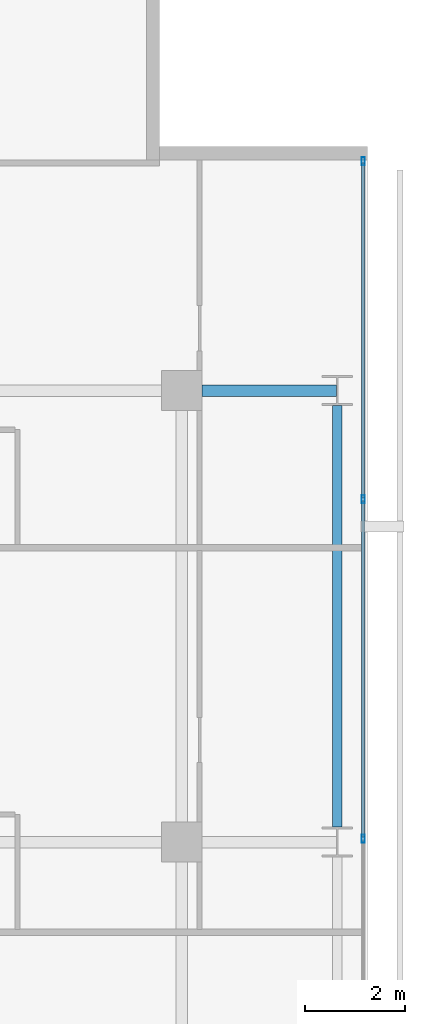
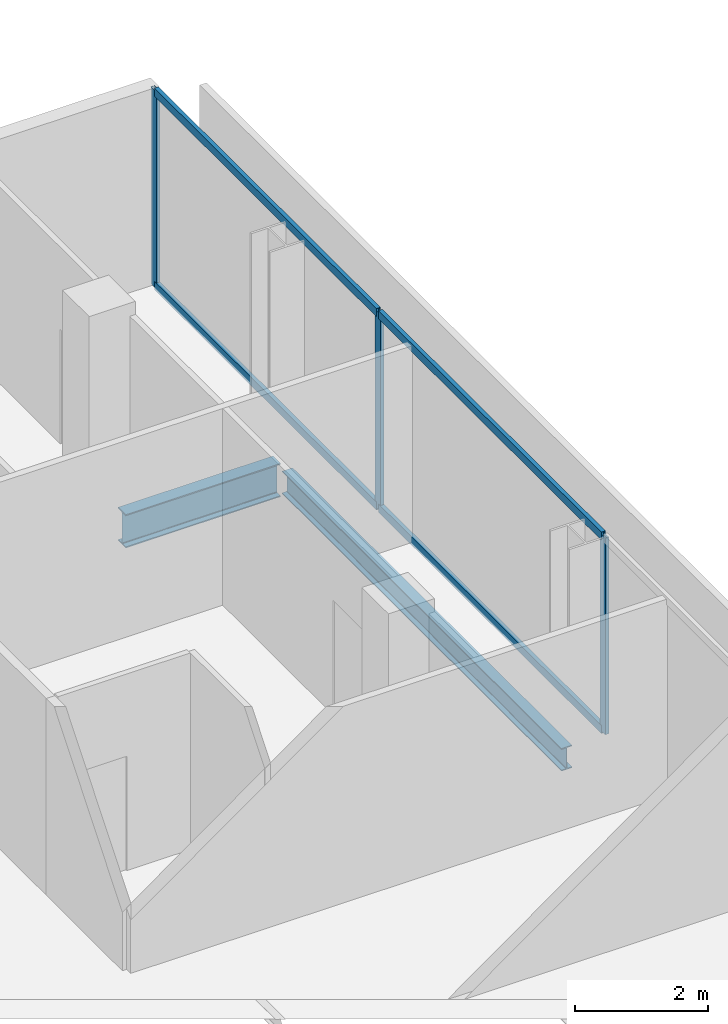
# One storey, part 24 of 34: 7 members, 2 beams, 1 element without a shape of its own.
"""IFC4 building model written with IfcOpenShell, lengths in metres."""

from ifc_helpers import new_model, si_unit, direction, frame, origin, origin_2d, place, context, subcontext, project, spatial, hollow_rectangle, i_section, extrude, material, layer, layer_set, material_profile, profile_set, type_object, element, aggregate, save


model = new_model("IFC4")

# Units and contexts
model_context = context("Model", 3, precision=1e-05, world=origin(), true_north=direction((0.0, 1.0)))
body_context = subcontext(model_context, "Body", "Model", "MODEL_VIEW")
ifc_project = project(units=[si_unit("LENGTHUNIT", "METRE"), si_unit("AREAUNIT", "SQUARE_METRE"), si_unit("VOLUMEUNIT", "CUBIC_METRE"), si_unit("PLANEANGLEUNIT", "RADIAN"), si_unit("MASSUNIT", "GRAM", prefix="KILO")], contexts=[model_context])

# Site, building, storey
site_placement = place(None, origin())
site = spatial("IfcSite", under=ifc_project, at=site_placement, CompositionType="ELEMENT")
building_placement = place(site_placement, origin())
building = spatial("IfcBuilding", under=site, at=building_placement, Name="Maruvema Waterfront Hotel and Observation Tower", CompositionType="ELEMENT")
storey_placement = place(building_placement, frame((0.0, 0.0, 146.64990234375)))
storey = spatial("IfcBuildingStorey", under=building, at=storey_placement, Name="L35", CompositionType="ELEMENT", Elevation=146.64990234375)

# Curtain wall, members
ifc_material_1 = material(Name="Anodised bronze aluminium and solar-control low-E IGU", Category="aluminium")
ifc_layer = layer(ifc_material_1, 0.159912109375, Name="Zone 2 Amber Inner Thermal Curtain Wall System CW-03")
ifc_layer_set = layer_set([ifc_layer], Name="Anodised bronze aluminium and solar-control low-E IGU")
curtain_wall_type = type_object("IfcCurtainWallType", Name="Zone 2 Amber Inner Thermal Curtain Wall System CW-03", PredefinedType="USERDEFINED", material=ifc_layer_set)
curtain_wall_placement = place(storey_placement, origin())
curtain_wall = element("IfcCurtainWall", 1, at=curtain_wall_placement, inside=storey, type_object=curtain_wall_type, Name="L35 Curtain Wall CW-L35-E", ObjectType="UNITISED CURTAIN WALL", PredefinedType="USERDEFINED")
ifc_material_2 = material(Name="Anodised architectural bronze aluminium", Category="aluminium")
ifc_material_profile_1 = material_profile(ifc_material_2, hollow_rectangle(XDim=0.070068359375, YDim=0.14990234375, WallThickness=0.00390625, at=origin_2d()), Name="ALU-T70x150")
ifc_profile_set_1 = profile_set([ifc_material_profile_1], Name="Anodised architectural bronze aluminium")
member_type_1 = type_object("IfcMemberType", Name="Curtain Wall Horizontal Transom ALU-T70x150", PredefinedType="USERDEFINED", material=ifc_profile_set_1)
member_1_placement = place(storey_placement, frame((62.419921875, 36.0966796875, 0.030029296875), z_axis=(0.0, 1.0, 0.0), x_axis=(-1.0, 0.0, 0.0)))
member_1 = element("IfcMember", 2, at=member_1_placement, type_object=member_type_1, Name="CW-03 transom 5.1", ObjectType="TRANSOM", PredefinedType="USERDEFINED", context=body_context, shape_type="SweptSolid", body=[
    extrude(hollow_rectangle(XDim=0.070068359375, YDim=0.14990234375, WallThickness=0.00390625, at=origin_2d()), origin(), (0.0, 0.0, 1.0), 6.70654296875),
])
member_2_placement = place(storey_placement, frame((62.419921875, 36.0966796875, 3.580078125), z_axis=(0.0, 1.0, 0.0), x_axis=(-1.0, 0.0, 0.0)))
member_2 = element("IfcMember", 3, at=member_2_placement, type_object=member_type_1, Name="CW-03 transom 5.2", ObjectType="TRANSOM", PredefinedType="USERDEFINED", context=body_context, shape_type="SweptSolid", body=[
    extrude(hollow_rectangle(XDim=0.070068359375, YDim=0.14990234375, WallThickness=0.00390625, at=origin_2d()), origin(), (0.0, 0.0, 1.0), 6.70654296875),
])
member_3_placement = place(storey_placement, frame((62.419921875, 42.86328125, 0.030029296875), z_axis=(0.0, 1.0, 0.0), x_axis=(-1.0, 0.0, 0.0)))
member_3 = element("IfcMember", 4, at=member_3_placement, type_object=member_type_1, Name="CW-03 transom 6.1", ObjectType="TRANSOM", PredefinedType="USERDEFINED", context=body_context, shape_type="SweptSolid", body=[
    extrude(hollow_rectangle(XDim=0.070068359375, YDim=0.14990234375, WallThickness=0.00390625, at=origin_2d()), origin(), (0.0, 0.0, 1.0), 6.6767578125),
])
member_4_placement = place(storey_placement, frame((62.419921875, 42.86328125, 3.580078125), z_axis=(0.0, 1.0, 0.0), x_axis=(-1.0, 0.0, 0.0)))
member_4 = element("IfcMember", 5, at=member_4_placement, type_object=member_type_1, Name="CW-03 transom 6.2", ObjectType="TRANSOM", PredefinedType="USERDEFINED", context=body_context, shape_type="SweptSolid", body=[
    extrude(hollow_rectangle(XDim=0.070068359375, YDim=0.14990234375, WallThickness=0.00390625, at=origin_2d()), origin(), (0.0, 0.0, 1.0), 6.6767578125),
])
ifc_material_3 = material(Name="Anodised architectural bronze aluminium", Category="aluminium")
ifc_material_profile_2 = material_profile(ifc_material_3, hollow_rectangle(XDim=0.06494140625, YDim=0.1650390625, WallThickness=0.00390625, at=origin_2d()), Name="ALU-M65x165")
ifc_profile_set_2 = profile_set([ifc_material_profile_2], Name="Anodised architectural bronze aluminium")
member_type_2 = type_object("IfcMemberType", Name="Curtain Wall Primary Mullion ALU-M65x165", PredefinedType="MULLION", material=ifc_profile_set_2)
member_5_placement = place(storey_placement, frame((62.419921875, 36.066650390625, 0.0), z_axis=(0.0, 0.0, 1.0), x_axis=(-1.0, 0.0, 0.0)))
member_5 = element("IfcMember", 6, at=member_5_placement, type_object=member_type_2, Name="CW-03 mullion 5", PredefinedType="MULLION", context=body_context, shape_type="SweptSolid", body=[
    extrude(hollow_rectangle(XDim=0.06494140625, YDim=0.1650390625, WallThickness=0.00390625, at=origin_2d()), origin(), (0.0, 0.0, 1.0), 3.610107421875),
])
member_6_placement = place(storey_placement, frame((62.419921875, 42.833251953125, 0.0), z_axis=(0.0, 0.0, 1.0), x_axis=(-1.0, 0.0, 0.0)))
member_6 = element("IfcMember", 7, at=member_6_placement, type_object=member_type_2, Name="CW-03 mullion 6", PredefinedType="MULLION", context=body_context, shape_type="SweptSolid", body=[
    extrude(hollow_rectangle(XDim=0.06494140625, YDim=0.1650390625, WallThickness=0.00390625, at=origin_2d()), origin(), (0.0, 0.0, 1.0), 3.610107421875),
])
member_7_placement = place(storey_placement, frame((62.419921875, 49.570068359375, 0.0), z_axis=(0.0, 0.0, 1.0), x_axis=(-1.0, 0.0, 0.0)))
member_7 = element("IfcMember", 8, at=member_7_placement, type_object=member_type_2, Name="CW-03 mullion 7", PredefinedType="MULLION", context=body_context, shape_type="SweptSolid", body=[
    extrude(hollow_rectangle(XDim=0.06494140625, YDim=0.1650390625, WallThickness=0.00390625, at=origin_2d()), origin(), (0.0, 0.0, 1.0), 3.610107421875),
])
aggregate(curtain_wall, [member_5, member_6, member_7, member_1, member_2, member_3, member_4])

# Beams
ifc_material_4 = material(Name="Steel ASTM A572 Grade 50", Category="steel")
ifc_material_profile_3 = material_profile(ifc_material_4, i_section(OverallWidth=0.180908203125, OverallDepth=0.4169921875, WebThickness=0.010986328125, FlangeThickness=0.018310546875, FilletRadius=0.014892578125, at=origin_2d()), Name="W410x85.0")
ifc_profile_set_3 = profile_set([ifc_material_profile_3], Name="Steel ASTM A572 Grade 50")
beam_type_1 = type_object("IfcBeamType", Name="Perimeter Spandrel Beam W410x85.0", PredefinedType="SPANDREL", material=ifc_profile_set_3)
beam_1_placement = place(storey_placement, frame((61.89990234375, 36.300048828125, -0.448486328125), z_axis=(0.0, 1.0, 0.0), x_axis=(-1.0, 0.0, 0.0)))
element("IfcBeam", 9, at=beam_1_placement, inside=storey, type_object=beam_type_1, Name="L35 Floor Girder NS-32", PredefinedType="SPANDREL", context=body_context, shape_type="SweptSolid", body=[
    extrude(i_section(OverallWidth=0.180908203125, OverallDepth=0.4169921875, WebThickness=0.010986328125, FlangeThickness=0.018310546875, FilletRadius=0.014892578125, at=origin_2d()), origin(), (0.0, 0.0, 1.0), 8.39990234375),
])
ifc_material_5 = material(Name="Steel ASTM A572 Grade 50", Category="steel")
ifc_material_profile_4 = material_profile(ifc_material_5, i_section(OverallWidth=0.22900390625, OverallDepth=0.612060546875, WebThickness=0.011962890625, FlangeThickness=0.01953125, FilletRadius=0.01806640625, at=origin_2d()), Name="W610x125.0")
ifc_profile_set_4 = profile_set([ifc_material_profile_4], Name="Steel ASTM A572 Grade 50")
beam_type_2 = type_object("IfcBeamType", Name="Primary Floor Girder W610x125.0", PredefinedType="BEAM", material=ifc_profile_set_4)
beam_2_placement = place(storey_placement, frame((59.199951171875, 45.0, -0.5458984375), z_axis=(1.0, 0.0, 0.0), x_axis=(0.0, 1.0, 0.0)))
element("IfcBeam", 10, at=beam_2_placement, inside=storey, type_object=beam_type_2, Name="L35 Floor Girder EW-33", PredefinedType="BEAM", context=body_context, shape_type="SweptSolid", body=[
    extrude(i_section(OverallWidth=0.22900390625, OverallDepth=0.612060546875, WebThickness=0.011962890625, FlangeThickness=0.01953125, FilletRadius=0.01806640625, at=origin_2d()), origin(), (0.0, 0.0, 1.0), 2.6875),
])

save(model, "model.ifc")
